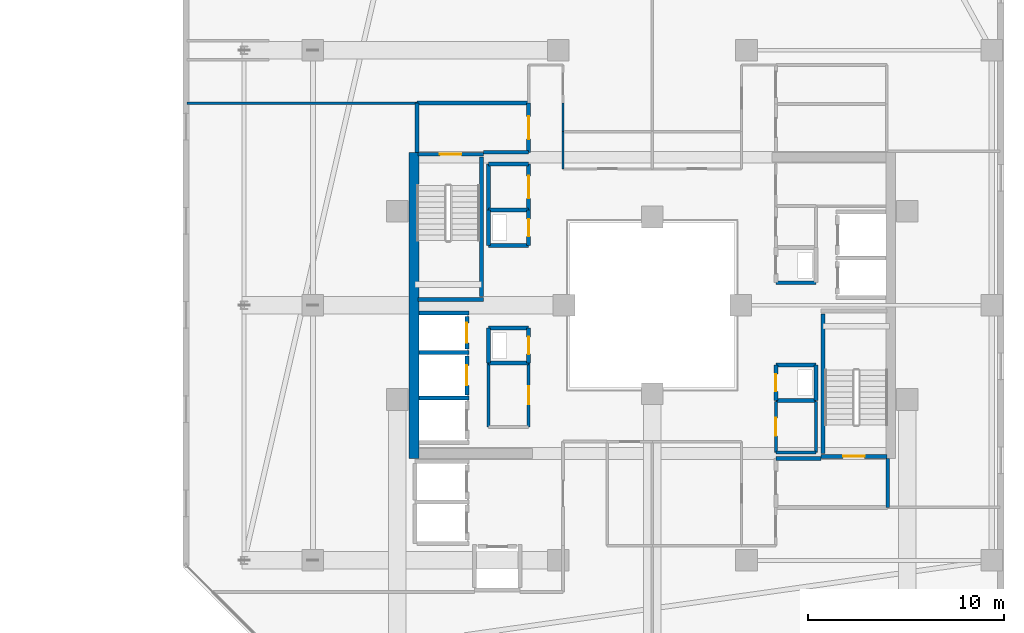
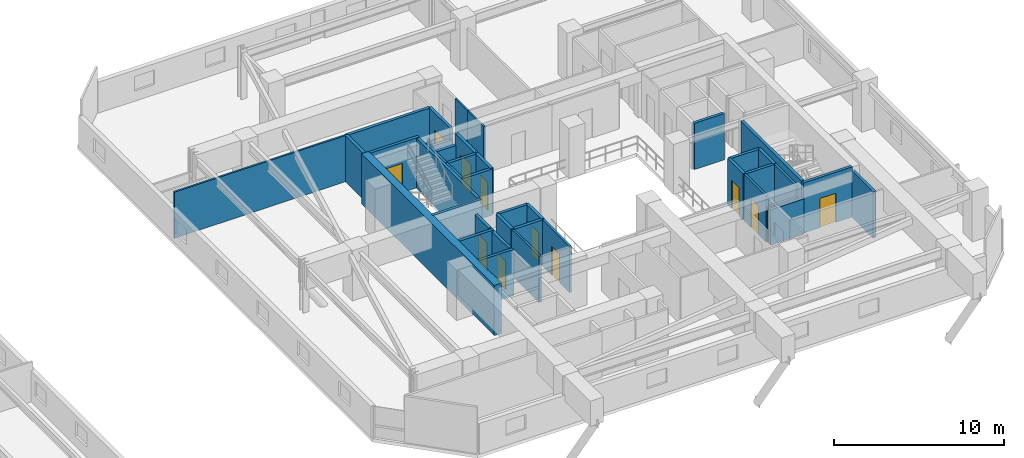
# One storey, part 27 of 36: 41 walls, 11 doors, 11 openings.
"""IFC4 building model written with IfcOpenShell, lengths in metres."""

from ifc_helpers import new_model, si_unit, direction, frame, frame_2d, origin, place, context, subcontext, project, spatial, rectangle, extrude, material, layer, layer_set, type_object, element, fill, save


model = new_model("IFC4")

# Units and contexts
model_context = context("Model", 3, precision=1e-05, world=origin(), true_north=direction((0.0, 1.0)))
body_context = subcontext(model_context, "Body", "Model", "MODEL_VIEW")
ifc_project = project(units=[si_unit("LENGTHUNIT", "METRE"), si_unit("AREAUNIT", "SQUARE_METRE"), si_unit("VOLUMEUNIT", "CUBIC_METRE"), si_unit("PLANEANGLEUNIT", "RADIAN"), si_unit("MASSUNIT", "GRAM", prefix="KILO")], contexts=[model_context])

# Site, building, storey
site_placement = place(None, origin())
site = spatial("IfcSite", under=ifc_project, at=site_placement, CompositionType="ELEMENT")
building_placement = place(site_placement, origin())
building = spatial("IfcBuilding", under=site, at=building_placement, Name="Thornwick Lancets Civic Towers", CompositionType="ELEMENT")
storey_placement = place(building_placement, frame((0.0, 0.0, 196.5)))
storey = spatial("IfcBuildingStorey", under=building, at=storey_placement, Name="L52", CompositionType="ELEMENT", Elevation=196.5)

# Wall, opening, door
ifc_material_1 = material(Name="Concrete blockwork C40/50", Category="masonry")
ifc_layer_1 = layer(ifc_material_1, 0.199951171875, Name="Concrete blockwork C40/50")
ifc_layer_set_1 = layer_set([ifc_layer_1], Name="Concrete blockwork C40/50")
wall_type_1 = type_object("IfcWallType", Name="WALL_COMP_200", PredefinedType="STANDARD", material=ifc_layer_set_1)
wall_1_placement = place(storey_placement, frame((79.050048828125, 24.780029296875, 0.0), z_axis=(0.0, 0.0, 1.0), x_axis=(0.0, 1.0, 0.0)))
wall_1 = element("IfcWall", 1, at=wall_1_placement, inside=storey, type_object=wall_type_1, Name="L52 Hoistway Front Wall FL-B2", PredefinedType="STANDARD", context=body_context, shape_type="SweptSolid", body=[
    extrude(rectangle(XDim=1.639892578125, YDim=0.199951171875, at=frame_2d((0.81982421875, 0.0))), origin(), (0.0, 0.0, 1.0), 3.320068359375),
])
opening_1_placement = place(wall_1_placement, frame((0.31005859375, 0.0, 0.0)))
opening_1 = element("IfcOpeningElement", 2, at=opening_1_placement, cuts=wall_1, Name="Opening LD-FL-B2", PredefinedType="OPENING", context=body_context, shape_type="SweptSolid", body=[
    extrude(rectangle(XDim=1.02001953125, YDim=2.06005859375, at=frame_2d((0.510009765625, 1.030029296875))), frame((0.0, 0.10986328125, 0.0), z_axis=(0.0, -1.0, 0.0), x_axis=(1.0, 0.0, 0.0)), (0.0, 0.0, 1.0), 0.219970703125),
])
ifc_material_2 = material(Name="Brushed bronze stainless steel", Category="steel")
door_type_1 = type_object("IfcDoorType", Name="DOOR_LIFT_SLIDE", OperationType="SLIDING_TO_LEFT", PredefinedType="DOOR", material=ifc_material_2)
door_1_placement = place(opening_1_placement, origin())
door_1 = element("IfcDoor", 3, at=door_1_placement, inside=storey, type_object=door_type_1, Name="L52 Sliding Lift Landing Door LD-FL-B2", OperationType="SLIDING_TO_LEFT", OverallHeight=2.06005859375, OverallWidth=1.02001953125, PredefinedType="DOOR", context=body_context, shape_type="SweptSolid", body=[
    extrude(rectangle(XDim=1.02001953125, YDim=2.06005859375, at=frame_2d((0.510009765625, 1.030029296875))), frame((0.0, 0.02490234375, 0.0), z_axis=(0.0, -1.0, 0.0), x_axis=(1.0, 0.0, 0.0)), (0.0, 0.0, 1.0), 0.050048828125),
])
fill(opening_1, door_1)

wall_2_placement = place(storey_placement, frame((79.050048828125, 22.429931640625, 0.0), z_axis=(0.0, 0.0, 1.0), x_axis=(0.0, 1.0, 0.0)))
wall_2 = element("IfcWall", 4, at=wall_2_placement, inside=storey, type_object=wall_type_1, Name="L52 Hoistway Front Wall PL-BH2", PredefinedType="STANDARD", context=body_context, shape_type="SweptSolid", body=[
    extrude(rectangle(XDim=1.989990234375, YDim=0.199951171875, at=frame_2d((0.9951171875, 0.0))), origin(), (0.0, 0.0, 1.0), 3.320068359375),
])
opening_2_placement = place(wall_2_placement, frame((0.485107421875, 0.0, 0.0)))
opening_2 = element("IfcOpeningElement", 5, at=opening_2_placement, cuts=wall_2, Name="Opening LD-PL-BH2", PredefinedType="OPENING", context=body_context, shape_type="SweptSolid", body=[
    extrude(rectangle(XDim=1.02001953125, YDim=2.06005859375, at=frame_2d((0.510009765625, 1.030029296875))), frame((0.0, 0.10986328125, 0.0), z_axis=(0.0, -1.0, 0.0), x_axis=(1.0, 0.0, 0.0)), (0.0, 0.0, 1.0), 0.219970703125),
])
door_2_placement = place(opening_2_placement, origin())
door_2 = element("IfcDoor", 6, at=door_2_placement, inside=storey, type_object=door_type_1, Name="L52 Sliding Lift Landing Door LD-PL-BH2", OperationType="SLIDING_TO_LEFT", OverallHeight=2.06005859375, OverallWidth=1.02001953125, PredefinedType="DOOR", context=body_context, shape_type="SweptSolid", body=[
    extrude(rectangle(XDim=1.02001953125, YDim=2.06005859375, at=frame_2d((0.510009765625, 1.030029296875))), frame((0.0, 0.02490234375, 0.0), z_axis=(0.0, -1.0, 0.0), x_axis=(1.0, 0.0, 0.0)), (0.0, 0.0, 1.0), 0.050048828125),
])
fill(opening_2, door_2)

# Walls
wall_3_placement = place(storey_placement, frame((76.612060546875, 26.60009765625, 0.0), z_axis=(0.0, 0.0, 1.0), x_axis=(1.0, 0.0, 0.0)))
element("IfcWall", 7, at=wall_3_placement, inside=storey, type_object=wall_type_1, Name="L52 Hoistway Shaft Wall FL-B2 N", PredefinedType="STANDARD", context=body_context, shape_type="SweptSolid", body=[
    extrude(rectangle(XDim=2.535888671875, YDim=0.199951171875, at=frame_2d((1.26806640625, 0.0))), origin(), (0.0, 0.0, 1.0), 1.784912109375),
])
for number, where, z_axis, x_axis, name in (
    (8, (76.612060546875, 24.60009765625, 0.0), (0.0, 0.0, 1.0), (1.0, 0.0, 0.0), "L52 Hoistway Shaft Wall FL-B2 S"),
    (9, (76.612060546875, 22.27490234375, 0.0), (0.0, 0.0, 1.0), (1.0, 0.0, 0.0), "L52 Hoistway Shaft Wall PL-BH2 S"),
):
    element("IfcWall", number, at=place(storey_placement, frame(where, z_axis=z_axis, x_axis=x_axis)), inside=storey, type_object=wall_type_1, Name=name, PredefinedType="STANDARD", context=body_context, shape_type="SweptSolid", body=[
        extrude(rectangle(XDim=2.535888671875, YDim=0.199951171875, at=frame_2d((1.26806640625, 0.0))), origin(), (0.0, 0.0, 1.0), 3.320068359375),
    ])
wall_4_placement = place(storey_placement, frame((100.5, 16.699951171875, 0.0), z_axis=(0.0, 0.0, 1.0), x_axis=(0.0, 1.0, 0.0)))
element("IfcWall", 10, at=wall_4_placement, inside=storey, type_object=wall_type_1, Name="L52 Partition L52-B-FFLOB1 E2", PredefinedType="STANDARD", context=body_context, shape_type="SweptSolid", body=[
    extrude(rectangle(XDim=2.5, YDim=0.199951171875, at=frame_2d((1.25, 0.0))), origin(), (0.0, 0.0, 1.0), 3.320068359375),
])
for number, where, z_axis, x_axis, name in (
    (11, (97.10009765625, 19.199951171875, 0.0), (0.0, 0.0, 1.0), (-1.0, 0.0, 0.0), "L52 Partition L52-B-FFLOB1 E3"),
    (12, (79.89990234375, 34.800048828125, 0.0), (0.0, 0.0, 1.0), (1.0, 0.0, 0.0), "L52 Partition L52-B-FFLOB2 E1"),
):
    element("IfcWall", number, at=place(storey_placement, frame(where, z_axis=z_axis, x_axis=x_axis)), inside=storey, type_object=wall_type_1, Name=name, PredefinedType="STANDARD", context=body_context, shape_type="SweptSolid", body=[
        extrude(rectangle(XDim=2.300048828125, YDim=0.199951171875, at=frame_2d((1.14990234375, 0.0))), origin(), (0.0, 0.0, 1.0), 2.52490234375),
    ])

# Wall, opening, door
wall_5_placement = place(storey_placement, frame((82.199951171875, 34.800048828125, 0.0), z_axis=(0.0, 0.0, 1.0), x_axis=(0.0, 1.0, 0.0)))
wall_5 = element("IfcWall", 13, at=wall_5_placement, inside=storey, type_object=wall_type_1, Name="L52 Partition L52-B-FFLOB2 E2", PredefinedType="STANDARD", context=body_context, shape_type="SweptSolid", body=[
    extrude(rectangle(XDim=2.5, YDim=0.199951171875, at=frame_2d((1.25, 0.0))), origin(), (0.0, 0.0, 1.0), 3.320068359375),
])
opening_3_placement = place(wall_5_placement, frame((0.675048828125, 0.0, 0.0)))
opening_3 = element("IfcOpeningElement", 14, at=opening_3_placement, cuts=wall_5, Name="Opening D-L52-2311", PredefinedType="OPENING", context=body_context, shape_type="SweptSolid", body=[
    extrude(rectangle(XDim=1.14990234375, YDim=2.10009765625, at=frame_2d((0.574951171875, 1.050048828125))), frame((0.0, 0.10986328125, 0.0), z_axis=(0.0, -1.0, 0.0), x_axis=(1.0, 0.0, 0.0)), (0.0, 0.0, 1.0), 0.219970703125),
])
ifc_material_3 = material(Name="Glazed fire-resisting steel", Category="steel")
door_type_2 = type_object("IfcDoorType", Name="DOOR_LOBBY_FD60", OperationType="NOTDEFINED", PredefinedType="DOOR", material=ifc_material_3)
door_3_placement = place(opening_3_placement, origin())
door_3 = element("IfcDoor", 15, at=door_3_placement, inside=storey, type_object=door_type_2, Name="L52 West Firefighting Lobby 2 Door", OperationType="SINGLE_SWING_RIGHT", OverallHeight=2.10009765625, OverallWidth=1.14990234375, PredefinedType="DOOR", context=body_context, shape_type="SweptSolid", body=[
    extrude(rectangle(XDim=1.14990234375, YDim=2.10009765625, at=frame_2d((0.574951171875, 1.050048828125))), frame((0.0, 0.02490234375, 0.0), z_axis=(0.0, -1.0, 0.0), x_axis=(1.0, 0.0, 0.0)), (0.0, 0.0, 1.0), 0.050048828125),
])
fill(opening_3, door_3)

# Walls
wall_6_placement = place(storey_placement, frame((82.199951171875, 37.300048828125, 0.0), z_axis=(0.0, 0.0, 1.0), x_axis=(-1.0, 0.0, 0.0)))
element("IfcWall", 16, at=wall_6_placement, inside=storey, type_object=wall_type_1, Name="L52 Partition L52-B-FFLOB2 E3", PredefinedType="STANDARD", context=body_context, shape_type="SweptSolid", body=[
    extrude(rectangle(XDim=5.699951171875, YDim=0.199951171875, at=frame_2d((2.85009765625, 0.0))), origin(), (0.0, 0.0, 1.0), 3.320068359375),
])
wall_7_placement = place(storey_placement, frame((76.5, 37.300048828125, 0.0), z_axis=(0.0, 0.0, 1.0), x_axis=(0.0, -1.0, 0.0)))
element("IfcWall", 17, at=wall_7_placement, inside=storey, type_object=wall_type_1, Name="L52 Partition L52-B-FFLOB2 E4", PredefinedType="STANDARD", context=body_context, shape_type="SweptSolid", body=[
    extrude(rectangle(XDim=2.5, YDim=0.199951171875, at=frame_2d((1.25, 0.0))), origin(), (0.0, 0.0, 1.0), 3.320068359375),
])
for number, where, z_axis, x_axis, name in (
    (18, (94.800048828125, 28.14990234375, 0.0), (0.0, 0.0, 1.0), (1.0, 0.0, 0.0), "L52 Partition L52-B-DUCT1 E1"),
    (19, (94.800048828125, 22.14990234375, 0.0), (0.0, 0.0, 1.0), (1.0, 0.0, 0.0), "L52 Partition L52-B-RISER1 E1"),
):
    element("IfcWall", number, at=place(storey_placement, frame(where, z_axis=z_axis, x_axis=x_axis)), inside=storey, type_object=wall_type_1, Name=name, PredefinedType="STANDARD", context=body_context, shape_type="SweptSolid", body=[
        extrude(rectangle(XDim=2.050048828125, YDim=0.199951171875, at=frame_2d((1.02490234375, 0.0))), origin(), (0.0, 0.0, 1.0), 3.320068359375),
    ])
wall_8_placement = place(storey_placement, frame((96.85009765625, 22.14990234375, 0.0), z_axis=(0.0, 0.0, 1.0), x_axis=(0.0, 1.0, 0.0)))
element("IfcWall", 20, at=wall_8_placement, inside=storey, type_object=wall_type_1, Name="L52 Partition L52-B-RISER1 E2", PredefinedType="STANDARD", context=body_context, shape_type="SweptSolid", body=[
    extrude(rectangle(XDim=1.800048828125, YDim=0.199951171875, at=frame_2d((0.89990234375, 0.0))), origin(), (0.0, 0.0, 1.0), 3.320068359375),
])
wall_9_placement = place(storey_placement, frame((96.85009765625, 23.949951171875, 0.0), z_axis=(0.0, 0.0, 1.0), x_axis=(-1.0, 0.0, 0.0)))
element("IfcWall", 21, at=wall_9_placement, inside=storey, type_object=wall_type_1, Name="L52 Partition L52-B-RISER1 E3", PredefinedType="STANDARD", context=body_context, shape_type="SweptSolid", body=[
    extrude(rectangle(XDim=2.050048828125, YDim=0.199951171875, at=frame_2d((1.02490234375, 0.0))), origin(), (0.0, 0.0, 1.0), 3.320068359375),
])

# Wall, opening, door
wall_10_placement = place(storey_placement, frame((94.800048828125, 23.949951171875, 0.0), z_axis=(0.0, 0.0, 1.0), x_axis=(0.0, -1.0, 0.0)))
wall_10 = element("IfcWall", 22, at=wall_10_placement, inside=storey, type_object=wall_type_1, Name="L52 Partition L52-B-RISER1 E4", PredefinedType="STANDARD", context=body_context, shape_type="SweptSolid", body=[
    extrude(rectangle(XDim=1.800048828125, YDim=0.199951171875, at=frame_2d((0.89990234375, 0.0))), origin(), (0.0, 0.0, 1.0), 3.320068359375),
])
opening_4_placement = place(wall_10_placement, frame((0.4599609375, 0.0, 0.0)))
opening_4 = element("IfcOpeningElement", 23, at=opening_4_placement, cuts=wall_10, Name="Opening D-L52-2313", PredefinedType="OPENING", context=body_context, shape_type="SweptSolid", body=[
    extrude(rectangle(XDim=0.8798828125, YDim=2.0400390625, at=frame_2d((0.43994140625, 1.02001953125))), frame((0.0, 0.10986328125, 0.0), z_axis=(0.0, -1.0, 0.0), x_axis=(1.0, 0.0, 0.0)), (0.0, 0.0, 1.0), 0.219970703125),
])
ifc_material_4 = material(Name="Steel riser access doorset", Category="steel")
door_type_3 = type_object("IfcDoorType", Name="DOOR_RISER_850", OperationType="NOTDEFINED", PredefinedType="DOOR", material=ifc_material_4)
door_4_placement = place(opening_4_placement, origin())
door_4 = element("IfcDoor", 24, at=door_4_placement, inside=storey, type_object=door_type_3, Name="L52 East Electrical Riser 1 Door", OperationType="SINGLE_SWING_RIGHT", OverallHeight=2.0400390625, OverallWidth=0.8798828125, PredefinedType="DOOR", context=body_context, shape_type="SweptSolid", body=[
    extrude(rectangle(XDim=0.8798828125, YDim=2.0400390625, at=frame_2d((0.43994140625, 1.02001953125))), frame((0.0, 0.02490234375, 0.0), z_axis=(0.0, -1.0, 0.0), x_axis=(1.0, 0.0, 0.0)), (0.0, 0.0, 1.0), 0.050048828125),
])
fill(opening_4, door_4)

# Wall
wall_11_placement = place(storey_placement, frame((80.14990234375, 24.050048828125, 0.0), z_axis=(0.0, 0.0, 1.0), x_axis=(1.0, 0.0, 0.0)))
element("IfcWall", 25, at=wall_11_placement, inside=storey, type_object=wall_type_1, Name="L52 Partition L52-B-DUCT2 E1", PredefinedType="STANDARD", context=body_context, shape_type="SweptSolid", body=[
    extrude(rectangle(XDim=2.050048828125, YDim=0.199951171875, at=frame_2d((1.02490234375, 0.0))), origin(), (0.0, 0.0, 1.0), 3.320068359375),
])

# Wall, opening, door
wall_12_placement = place(storey_placement, frame((82.199951171875, 24.050048828125, 0.0), z_axis=(0.0, 0.0, 1.0), x_axis=(0.0, 1.0, 0.0)))
wall_12 = element("IfcWall", 26, at=wall_12_placement, inside=storey, type_object=wall_type_1, Name="L52 Partition L52-B-DUCT2 E2", PredefinedType="STANDARD", context=body_context, shape_type="SweptSolid", body=[
    extrude(rectangle(XDim=1.800048828125, YDim=0.199951171875, at=frame_2d((0.89990234375, 0.0))), origin(), (0.0, 0.0, 1.0), 3.320068359375),
])
opening_5_placement = place(wall_12_placement, frame((0.4599609375, 0.0, 0.0)))
opening_5 = element("IfcOpeningElement", 27, at=opening_5_placement, cuts=wall_12, Name="Opening D-L52-2314", PredefinedType="OPENING", context=body_context, shape_type="SweptSolid", body=[
    extrude(rectangle(XDim=0.8798828125, YDim=2.0400390625, at=frame_2d((0.43994140625, 1.02001953125))), frame((0.0, 0.10986328125, 0.0), z_axis=(0.0, -1.0, 0.0), x_axis=(1.0, 0.0, 0.0)), (0.0, 0.0, 1.0), 0.219970703125),
])
door_5_placement = place(opening_5_placement, origin())
door_5 = element("IfcDoor", 28, at=door_5_placement, inside=storey, type_object=door_type_3, Name="L52 West Service Duct 2 Door", OperationType="SINGLE_SWING_LEFT", OverallHeight=2.0400390625, OverallWidth=0.8798828125, PredefinedType="DOOR", context=body_context, shape_type="SweptSolid", body=[
    extrude(rectangle(XDim=0.8798828125, YDim=2.0400390625, at=frame_2d((0.43994140625, 1.02001953125))), frame((0.0, 0.02490234375, 0.0), z_axis=(0.0, -1.0, 0.0), x_axis=(1.0, 0.0, 0.0)), (0.0, 0.0, 1.0), 0.050048828125),
])
fill(opening_5, door_5)

# Walls
wall_13_placement = place(storey_placement, frame((82.199951171875, 25.85009765625, 0.0), z_axis=(0.0, 0.0, 1.0), x_axis=(-1.0, 0.0, 0.0)))
element("IfcWall", 29, at=wall_13_placement, inside=storey, type_object=wall_type_1, Name="L52 Partition L52-B-DUCT2 E3", PredefinedType="STANDARD", context=body_context, shape_type="SweptSolid", body=[
    extrude(rectangle(XDim=2.050048828125, YDim=0.199951171875, at=frame_2d((1.02490234375, 0.0))), origin(), (0.0, 0.0, 1.0), 3.320068359375),
])
wall_14_placement = place(storey_placement, frame((80.14990234375, 25.85009765625, 0.0), z_axis=(0.0, 0.0, 1.0), x_axis=(0.0, -1.0, 0.0)))
element("IfcWall", 30, at=wall_14_placement, inside=storey, type_object=wall_type_1, Name="L52 Partition L52-B-DUCT2 E4", PredefinedType="STANDARD", context=body_context, shape_type="SweptSolid", body=[
    extrude(rectangle(XDim=1.800048828125, YDim=0.199951171875, at=frame_2d((0.89990234375, 0.0))), origin(), (0.0, 0.0, 1.0), 3.320068359375),
])
wall_15_placement = place(storey_placement, frame((80.14990234375, 30.050048828125, 0.0), z_axis=(0.0, 0.0, 1.0), x_axis=(1.0, 0.0, 0.0)))
element("IfcWall", 31, at=wall_15_placement, inside=storey, type_object=wall_type_1, Name="L52 Partition L52-B-RISER2 E1", PredefinedType="STANDARD", context=body_context, shape_type="SweptSolid", body=[
    extrude(rectangle(XDim=2.050048828125, YDim=0.199951171875, at=frame_2d((1.02490234375, 0.0))), origin(), (0.0, 0.0, 1.0), 3.320068359375),
])

# Wall, opening, door
wall_16_placement = place(storey_placement, frame((82.199951171875, 30.050048828125, 0.0), z_axis=(0.0, 0.0, 1.0), x_axis=(0.0, 1.0, 0.0)))
wall_16 = element("IfcWall", 32, at=wall_16_placement, inside=storey, type_object=wall_type_1, Name="L52 Partition L52-B-RISER2 E2", PredefinedType="STANDARD", context=body_context, shape_type="SweptSolid", body=[
    extrude(rectangle(XDim=1.800048828125, YDim=0.199951171875, at=frame_2d((0.89990234375, 0.0))), origin(), (0.0, 0.0, 1.0), 3.320068359375),
])
opening_6_placement = place(wall_16_placement, frame((0.4599609375, 0.0, 0.0)))
opening_6 = element("IfcOpeningElement", 33, at=opening_6_placement, cuts=wall_16, Name="Opening D-L52-2315", PredefinedType="OPENING", context=body_context, shape_type="SweptSolid", body=[
    extrude(rectangle(XDim=0.8798828125, YDim=2.0400390625, at=frame_2d((0.43994140625, 1.02001953125))), frame((0.0, 0.10986328125, 0.0), z_axis=(0.0, -1.0, 0.0), x_axis=(1.0, 0.0, 0.0)), (0.0, 0.0, 1.0), 0.219970703125),
])
door_6_placement = place(opening_6_placement, origin())
door_6 = element("IfcDoor", 34, at=door_6_placement, inside=storey, type_object=door_type_3, Name="L52 West Service Riser 2 Door", OperationType="SINGLE_SWING_RIGHT", OverallHeight=2.0400390625, OverallWidth=0.8798828125, PredefinedType="DOOR", context=body_context, shape_type="SweptSolid", body=[
    extrude(rectangle(XDim=0.8798828125, YDim=2.0400390625, at=frame_2d((0.43994140625, 1.02001953125))), frame((0.0, 0.02490234375, 0.0), z_axis=(0.0, -1.0, 0.0), x_axis=(1.0, 0.0, 0.0)), (0.0, 0.0, 1.0), 0.050048828125),
])
fill(opening_6, door_6)

# Walls
wall_17_placement = place(storey_placement, frame((82.199951171875, 31.85009765625, 0.0), z_axis=(0.0, 0.0, 1.0), x_axis=(-1.0, 0.0, 0.0)))
element("IfcWall", 35, at=wall_17_placement, inside=storey, type_object=wall_type_1, Name="L52 Partition L52-B-RISER2 E3", PredefinedType="STANDARD", context=body_context, shape_type="SweptSolid", body=[
    extrude(rectangle(XDim=2.050048828125, YDim=0.199951171875, at=frame_2d((1.02490234375, 0.0))), origin(), (0.0, 0.0, 1.0), 3.320068359375),
])
wall_18_placement = place(storey_placement, frame((80.14990234375, 31.85009765625, 0.0), z_axis=(0.0, 0.0, 1.0), x_axis=(0.0, -1.0, 0.0)))
element("IfcWall", 36, at=wall_18_placement, inside=storey, type_object=wall_type_1, Name="L52 Partition L52-B-RISER2 E4", PredefinedType="STANDARD", context=body_context, shape_type="SweptSolid", body=[
    extrude(rectangle(XDim=1.800048828125, YDim=0.199951171875, at=frame_2d((0.89990234375, 0.0))), origin(), (0.0, 0.0, 1.0), 3.320068359375),
])
wall_19_placement = place(storey_placement, frame((80.14990234375, 31.85009765625, 0.0), z_axis=(0.0, 0.0, 1.0), x_axis=(0.0, 1.0, 0.0)))
element("IfcWall", 37, at=wall_19_placement, inside=storey, type_object=wall_type_1, Name="L52 Partition L52-B-STR E1", PredefinedType="STANDARD", context=body_context, shape_type="SweptSolid", body=[
    extrude(rectangle(XDim=2.349853515625, YDim=0.199951171875, at=frame_2d((1.1748046875, 0.0))), origin(), (0.0, 0.0, 1.0), 3.320068359375),
])
wall_20_placement = place(storey_placement, frame((80.14990234375, 34.199951171875, 0.0), z_axis=(0.0, 0.0, 1.0), x_axis=(1.0, 0.0, 0.0)))
element("IfcWall", 38, at=wall_20_placement, inside=storey, type_object=wall_type_1, Name="L52 Partition L52-B-STR E2", PredefinedType="STANDARD", context=body_context, shape_type="SweptSolid", body=[
    extrude(rectangle(XDim=2.050048828125, YDim=0.199951171875, at=frame_2d((1.02490234375, 0.0))), origin(), (0.0, 0.0, 1.0), 2.52490234375),
])

# Wall, opening, door
wall_21_placement = place(storey_placement, frame((82.199951171875, 34.199951171875, 0.0), z_axis=(0.0, 0.0, 1.0), x_axis=(0.0, -1.0, 0.0)))
wall_21 = element("IfcWall", 39, at=wall_21_placement, inside=storey, type_object=wall_type_1, Name="L52 Partition L52-B-STR E3", PredefinedType="STANDARD", context=body_context, shape_type="SweptSolid", body=[
    extrude(rectangle(XDim=2.349853515625, YDim=0.199951171875, at=frame_2d((1.1748046875, 0.0))), origin(), (0.0, 0.0, 1.0), 3.320068359375),
])
opening_7_placement = place(wall_21_placement, frame((0.60009765625, 0.0, 0.0)))
opening_7 = element("IfcOpeningElement", 40, at=opening_7_placement, cuts=wall_21, Name="Opening D-L52-2320", PredefinedType="OPENING", context=body_context, shape_type="SweptSolid", body=[
    extrude(rectangle(XDim=1.14990234375, YDim=2.10009765625, at=frame_2d((0.574951171875, 1.050048828125))), frame((0.0, 0.10986328125, 0.0), z_axis=(0.0, -1.0, 0.0), x_axis=(1.0, 0.0, 0.0)), (0.0, 0.0, 1.0), 0.219970703125),
])
door_7_placement = place(opening_7_placement, origin())
door_7 = element("IfcDoor", 41, at=door_7_placement, inside=storey, type_object=door_type_2, Name="L52 Tower B Core Equipment Store Door", OperationType="SINGLE_SWING_LEFT", OverallHeight=2.10009765625, OverallWidth=1.14990234375, PredefinedType="DOOR", context=body_context, shape_type="SweptSolid", body=[
    extrude(rectangle(XDim=1.14990234375, YDim=2.10009765625, at=frame_2d((0.574951171875, 1.050048828125))), frame((0.0, 0.02490234375, 0.0), z_axis=(0.0, -1.0, 0.0), x_axis=(1.0, 0.0, 0.0)), (0.0, 0.0, 1.0), 0.050048828125),
])
fill(opening_7, door_7)

# Walls
ifc_material_5 = material(Name="Concrete C50/60", Category="concrete")
ifc_layer_2 = layer(ifc_material_5, 0.5, Name="Concrete C50/60")
ifc_layer_set_2 = layer_set([ifc_layer_2], Name="Concrete C50/60")
wall_type_2 = type_object("IfcWallType", Name="WALL_CORE_500", PredefinedType="SHEAR", material=ifc_layer_set_2)
wall_22_placement = place(storey_placement, frame((76.35009765625, 19.199951171875, 0.0), z_axis=(0.0, 0.0, 1.0), x_axis=(0.0, 1.0, 0.0)))
element("IfcWall", 42, at=wall_22_placement, inside=storey, type_object=wall_type_2, Name="L52 Split Core B2 Shear Wall W", PredefinedType="SHEAR", context=body_context, shape_type="SweptSolid", body=[
    extrude(rectangle(XDim=15.60009765625, YDim=0.5, at=frame_2d((7.800048828125, 0.0))), origin(), (0.0, 0.0, 1.0), 3.60009765625),
])
ifc_material_6 = material(Name="Acoustic gypsum board partition")
ifc_layer_3 = layer(ifc_material_6, 0.1201171875, Name="Acoustic gypsum board partition")
ifc_layer_set_3 = layer_set([ifc_layer_3], Name="Acoustic gypsum board partition")
wall_type_3 = type_object("IfcWallType", Name="WALL_PART_120", PredefinedType="PARTITIONING", material=ifc_layer_set_3)
wall_23_placement = place(storey_placement, frame((83.949951171875, 33.949951171875, 0.0), z_axis=(0.0, 0.0, 1.0), x_axis=(0.0, 1.0, 0.0)))
element("IfcWall", 43, at=wall_23_placement, inside=storey, type_object=wall_type_3, Name="L52 Partition L52-B-E3 E1", PredefinedType="PARTITIONING", context=body_context, shape_type="SweptSolid", body=[
    extrude(rectangle(XDim=1.900146484375, YDim=0.1201171875, at=frame_2d((0.9501953125, 0.0))), origin(), (0.0, 0.0, 1.0), 3.320068359375),
])
wall_24_placement = place(storey_placement, frame((83.949951171875, 35.85009765625, 0.0), z_axis=(0.0, 0.0, 1.0), x_axis=(0.0, 1.0, 0.0)))
element("IfcWall", 44, at=wall_24_placement, inside=storey, type_object=wall_type_3, Name="L52 Partition L52-B-E4 E1", PredefinedType="PARTITIONING", context=body_context, shape_type="SweptSolid", body=[
    extrude(rectangle(XDim=1.449951171875, YDim=0.1201171875, at=frame_2d((0.72509765625, 0.0))), origin(), (0.0, 0.0, 1.0), 3.320068359375),
])
wall_25_placement = place(storey_placement, frame((76.5, 37.300048828125, 0.0), z_axis=(0.0, 0.0, 1.0), x_axis=(-1.0, 0.0, 0.0)))
element("IfcWall", 45, at=wall_25_placement, inside=storey, type_object=wall_type_3, Name="L52 Partition L52-B-E4 E6", PredefinedType="PARTITIONING", context=body_context, shape_type="SweptSolid", body=[
    extrude(rectangle(XDim=11.719970703125, YDim=0.1201171875, at=frame_2d((5.85986328125, 0.0))), origin(), (0.0, 0.0, 1.0), 3.320068359375),
])
ifc_material_7 = material(Name="Twin-stud acoustic gypsum board")
ifc_layer_4 = layer(ifc_material_7, 0.14990234375, Name="Twin-stud acoustic gypsum board")
ifc_layer_set_4 = layer_set([ifc_layer_4], Name="Twin-stud acoustic gypsum board")
wall_type_4 = type_object("IfcWallType", Name="WALL_PART_150", PredefinedType="PARTITIONING", material=ifc_layer_set_4)
wall_26_placement = place(storey_placement, frame((94.800048828125, 19.5, 0.0), z_axis=(0.0, 0.0, 1.0), x_axis=(1.0, 0.0, 0.0)))
element("IfcWall", 46, at=wall_26_placement, inside=storey, type_object=wall_type_4, Name="L52 Partition L52-B-AWC E1", PredefinedType="PARTITIONING", context=body_context, shape_type="SweptSolid", body=[
    extrude(rectangle(XDim=2.050048828125, YDim=0.14990234375, at=frame_2d((1.02490234375, 0.0))), origin(), (0.0, 0.0, 1.0), 2.52490234375),
])
wall_27_placement = place(storey_placement, frame((96.85009765625, 19.5, 0.0), z_axis=(0.0, 0.0, 1.0), x_axis=(0.0, 1.0, 0.0)))
element("IfcWall", 47, at=wall_27_placement, inside=storey, type_object=wall_type_4, Name="L52 Partition L52-B-AWC E2", PredefinedType="PARTITIONING", context=body_context, shape_type="SweptSolid", body=[
    extrude(rectangle(XDim=2.60009765625, YDim=0.14990234375, at=frame_2d((1.300048828125, 0.0))), origin(), (0.0, 0.0, 1.0), 3.320068359375),
])

# Wall, opening, door
wall_28_placement = place(storey_placement, frame((94.800048828125, 22.10009765625, 0.0), z_axis=(0.0, 0.0, 1.0), x_axis=(0.0, -1.0, 0.0)))
wall_28 = element("IfcWall", 48, at=wall_28_placement, inside=storey, type_object=wall_type_4, Name="L52 Partition L52-B-AWC E4", PredefinedType="PARTITIONING", context=body_context, shape_type="SweptSolid", body=[
    extrude(rectangle(XDim=2.60009765625, YDim=0.14990234375, at=frame_2d((1.300048828125, 0.0))), origin(), (0.0, 0.0, 1.0), 3.320068359375),
])
opening_8_placement = place(wall_28_placement, frame((0.840087890625, 0.0, 0.0)))
opening_8 = element("IfcOpeningElement", 49, at=opening_8_placement, cuts=wall_28, Name="Opening D-L52-2316", PredefinedType="OPENING", context=body_context, shape_type="SweptSolid", body=[
    extrude(rectangle(XDim=0.919921875, YDim=2.080078125, at=frame_2d((0.4599609375, 1.0400390625))), frame((0.0, 0.0849609375, 0.0), z_axis=(0.0, -1.0, 0.0), x_axis=(1.0, 0.0, 0.0)), (0.0, 0.0, 1.0), 0.169921875),
])
ifc_material_8 = material(Name="Moisture-resistant oak doorset")
door_type_4 = type_object("IfcDoorType", Name="DOOR_WC_900", OperationType="NOTDEFINED", PredefinedType="DOOR", material=ifc_material_8)
door_8_placement = place(opening_8_placement, origin())
door_8 = element("IfcDoor", 50, at=door_8_placement, inside=storey, type_object=door_type_4, Name="L52 Tower B Accessible WC Door", OperationType="SINGLE_SWING_LEFT", OverallHeight=2.080078125, OverallWidth=0.919921875, PredefinedType="DOOR", context=body_context, shape_type="SweptSolid", body=[
    extrude(rectangle(XDim=0.919921875, YDim=2.080078125, at=frame_2d((0.4599609375, 1.0400390625))), frame((0.0, 0.02490234375, 0.0), z_axis=(0.0, -1.0, 0.0), x_axis=(1.0, 0.0, 0.0)), (0.0, 0.0, 1.0), 0.050048828125),
])
fill(opening_8, door_8)

# Wall
wall_29_placement = place(storey_placement, frame((80.14990234375, 20.800048828125, 0.0), z_axis=(0.0, 0.0, 1.0), x_axis=(0.0, 1.0, 0.0)))
element("IfcWall", 51, at=wall_29_placement, inside=storey, type_object=wall_type_4, Name="L52 Partition L52-B-FWC E2", PredefinedType="PARTITIONING", context=body_context, shape_type="SweptSolid", body=[
    extrude(rectangle(XDim=3.25, YDim=0.14990234375, at=frame_2d((1.625, 0.0))), origin(), (0.0, 0.0, 1.0), 3.320068359375),
])

# Wall, opening, door
wall_30_placement = place(storey_placement, frame((82.199951171875, 24.050048828125, 0.0), z_axis=(0.0, 0.0, 1.0), x_axis=(0.0, -1.0, 0.0)))
wall_30 = element("IfcWall", 52, at=wall_30_placement, inside=storey, type_object=wall_type_4, Name="L52 Partition L52-B-FWC E4", PredefinedType="PARTITIONING", context=body_context, shape_type="SweptSolid", body=[
    extrude(rectangle(XDim=3.25, YDim=0.14990234375, at=frame_2d((1.625, 0.0))), origin(), (0.0, 0.0, 1.0), 3.320068359375),
])
opening_9_placement = place(wall_30_placement, frame((1.1650390625, 0.0, 0.0)))
opening_9 = element("IfcOpeningElement", 53, at=opening_9_placement, cuts=wall_30, Name="Opening D-L52-2319", PredefinedType="OPENING", context=body_context, shape_type="SweptSolid", body=[
    extrude(rectangle(XDim=0.919921875, YDim=2.080078125, at=frame_2d((0.4599609375, 1.0400390625))), frame((0.0, 0.0849609375, 0.0), z_axis=(0.0, -1.0, 0.0), x_axis=(1.0, 0.0, 0.0)), (0.0, 0.0, 1.0), 0.169921875),
])
door_9_placement = place(opening_9_placement, origin())
door_9 = element("IfcDoor", 54, at=door_9_placement, inside=storey, type_object=door_type_4, Name="L52 Tower B Female WC Door", OperationType="SINGLE_SWING_RIGHT", OverallHeight=2.080078125, OverallWidth=0.919921875, PredefinedType="DOOR", context=body_context, shape_type="SweptSolid", body=[
    extrude(rectangle(XDim=0.919921875, YDim=2.080078125, at=frame_2d((0.4599609375, 1.0400390625))), frame((0.0, 0.02490234375, 0.0), z_axis=(0.0, -1.0, 0.0), x_axis=(1.0, 0.0, 0.0)), (0.0, 0.0, 1.0), 0.050048828125),
])
fill(opening_9, door_9)

ifc_material_9 = material(Name="Concrete C40/50", Category="concrete")
ifc_layer_5 = layer(ifc_material_9, 0.199951171875, Name="Concrete C40/50")
ifc_layer_set_5 = layer_set([ifc_layer_5], Name="Concrete C40/50")
wall_type_5 = type_object("IfcWallType", Name="WALL_SHAFT_200", PredefinedType="SHEAR", material=ifc_layer_set_5)
wall_31_placement = place(storey_placement, frame((100.449951171875, 19.300048828125, 0.0), z_axis=(0.0, 0.0, 1.0), x_axis=(-1.0, 0.0, 0.0)))
wall_31 = element("IfcWall", 55, at=wall_31_placement, inside=storey, type_object=wall_type_5, Name="L52 ST-B1 Fire Stair Core Wall NEAR", PredefinedType="SHEAR", context=body_context, shape_type="SweptSolid", body=[
    extrude(rectangle(XDim=3.349853515625, YDim=0.199951171875, at=frame_2d((1.6748046875, 0.0))), origin(), (0.0, 0.0, 1.0), 3.60009765625),
])
opening_10_placement = place(wall_31_placement, frame((1.125, 0.0, 0.0)))
opening_10 = element("IfcOpeningElement", 56, at=opening_10_placement, cuts=wall_31, Name="Opening D-ST-B1-L52", PredefinedType="OPENING", context=body_context, shape_type="SweptSolid", body=[
    extrude(rectangle(XDim=1.10009765625, YDim=2.10009765625, at=frame_2d((0.550048828125, 1.050048828125))), frame((0.0, 0.10986328125, 0.0), z_axis=(0.0, -1.0, 0.0), x_axis=(1.0, 0.0, 0.0)), (0.0, 0.0, 1.0), 0.219970703125),
])
ifc_material_10 = material(Name="Fire-resisting steel and hardwood", Category="steel")
door_type_5 = type_object("IfcDoorType", Name="DOOR_STAIR_FD60", OperationType="NOTDEFINED", PredefinedType="DOOR", material=ifc_material_10)
door_10_placement = place(opening_10_placement, origin())
door_10 = element("IfcDoor", 57, at=door_10_placement, inside=storey, type_object=door_type_5, Name="L52 ST-B1 Exit Stair Door", OperationType="SINGLE_SWING_RIGHT", OverallHeight=2.10009765625, OverallWidth=1.10009765625, PredefinedType="DOOR", context=body_context, shape_type="SweptSolid", body=[
    extrude(rectangle(XDim=1.10009765625, YDim=2.10009765625, at=frame_2d((0.550048828125, 1.050048828125))), frame((0.0, 0.02490234375, 0.0), z_axis=(0.0, -1.0, 0.0), x_axis=(1.0, 0.0, 0.0)), (0.0, 0.0, 1.0), 0.050048828125),
])
fill(opening_10, door_10)

# Wall
wall_32_placement = place(storey_placement, frame((97.202880859375, 26.550048828125, 0.0), z_axis=(0.0, 0.0, 1.0), x_axis=(0.0, -1.0, 0.0)))
element("IfcWall", 58, at=wall_32_placement, inside=storey, type_object=wall_type_5, Name="L52 ST-B1 Fire Stair Core Wall RIGHT", PredefinedType="SHEAR", context=body_context, shape_type="SweptSolid", body=[
    extrude(rectangle(XDim=7.10009765625, YDim=0.199951171875, at=frame_2d((3.550048828125, 0.0))), origin(), (0.0, 0.0, 1.0), 3.60009765625),
])

# Wall, opening, door
wall_33_placement = place(storey_placement, frame((76.550048828125, 34.699951171875, 0.0), z_axis=(0.0, 0.0, 1.0), x_axis=(1.0, 0.0, 0.0)))
wall_33 = element("IfcWall", 59, at=wall_33_placement, inside=storey, type_object=wall_type_5, Name="L52 ST-B2 Fire Stair Core Wall NEAR", PredefinedType="SHEAR", context=body_context, shape_type="SweptSolid", body=[
    extrude(rectangle(XDim=3.349853515625, YDim=0.199951171875, at=frame_2d((1.6748046875, 0.0))), origin(), (0.0, 0.0, 1.0), 3.60009765625),
])
opening_11_placement = place(wall_33_placement, frame((1.125, 0.0, 0.0)))
opening_11 = element("IfcOpeningElement", 60, at=opening_11_placement, cuts=wall_33, Name="Opening D-ST-B2-L52", PredefinedType="OPENING", context=body_context, shape_type="SweptSolid", body=[
    extrude(rectangle(XDim=1.10009765625, YDim=2.10009765625, at=frame_2d((0.550048828125, 1.050048828125))), frame((0.0, 0.10986328125, 0.0), z_axis=(0.0, -1.0, 0.0), x_axis=(1.0, 0.0, 0.0)), (0.0, 0.0, 1.0), 0.219970703125),
])
door_11_placement = place(opening_11_placement, origin())
door_11 = element("IfcDoor", 61, at=door_11_placement, inside=storey, type_object=door_type_5, Name="L52 ST-B2 Exit Stair Door", OperationType="SINGLE_SWING_LEFT", OverallHeight=2.10009765625, OverallWidth=1.10009765625, PredefinedType="DOOR", context=body_context, shape_type="SweptSolid", body=[
    extrude(rectangle(XDim=1.10009765625, YDim=2.10009765625, at=frame_2d((0.550048828125, 1.050048828125))), frame((0.0, 0.02490234375, 0.0), z_axis=(0.0, -1.0, 0.0), x_axis=(1.0, 0.0, 0.0)), (0.0, 0.0, 1.0), 0.050048828125),
])
fill(opening_11, door_11)

# Walls
wall_34_placement = place(storey_placement, frame((79.89990234375, 27.300048828125, 0.0), z_axis=(0.0, 0.0, 1.0), x_axis=(-1.0, 0.0, 0.0)))
element("IfcWall", 62, at=wall_34_placement, inside=storey, type_object=wall_type_5, Name="L52 ST-B2 Fire Stair Core Wall FAR", PredefinedType="SHEAR", context=body_context, shape_type="SweptSolid", body=[
    extrude(rectangle(XDim=3.349853515625, YDim=0.199951171875, at=frame_2d((1.6748046875, 0.0))), origin(), (0.0, 0.0, 1.0), 3.60009765625),
])
wall_35_placement = place(storey_placement, frame((79.797119140625, 27.449951171875, 0.0), z_axis=(0.0, 0.0, 1.0), x_axis=(0.0, 1.0, 0.0)))
element("IfcWall", 63, at=wall_35_placement, inside=storey, type_object=wall_type_5, Name="L52 ST-B2 Fire Stair Core Wall RIGHT", PredefinedType="SHEAR", context=body_context, shape_type="SweptSolid", body=[
    extrude(rectangle(XDim=7.10009765625, YDim=0.199951171875, at=frame_2d((3.550048828125, 0.0))), origin(), (0.0, 0.0, 1.0), 3.60009765625),
])

save(model, "model.ifc")
